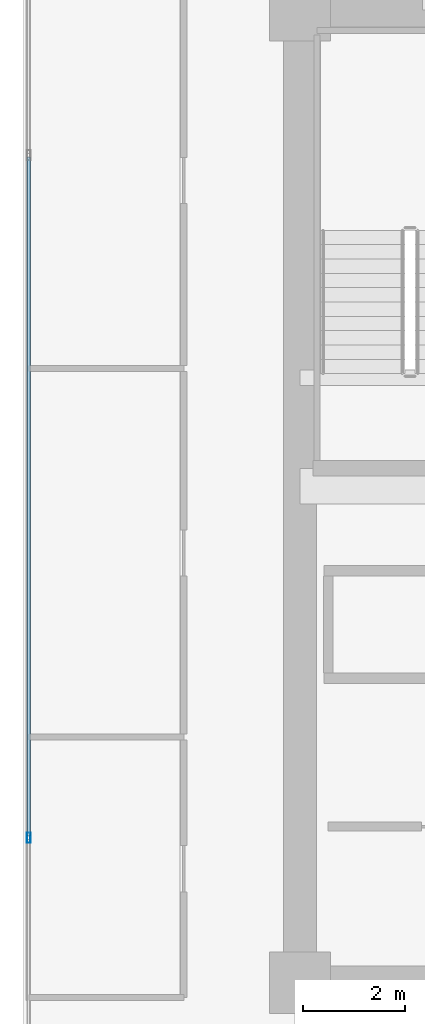
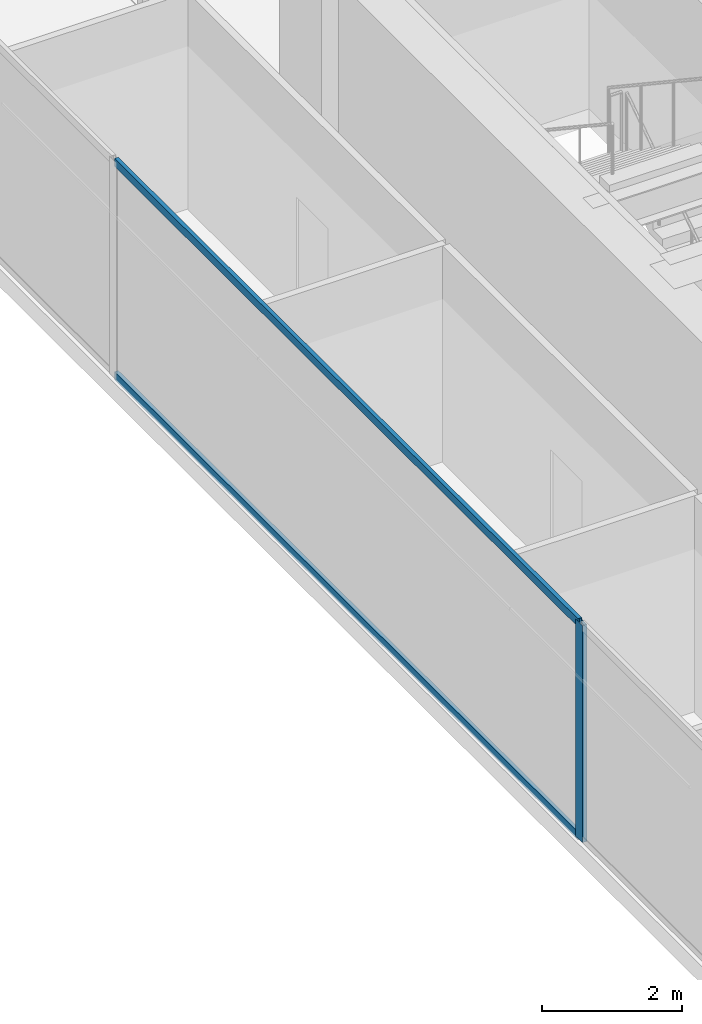
# One storey, part 6 of 33: 3 members, 1 element without a shape of its own.
"""IFC4 building model written with IfcOpenShell, lengths in metres."""

from ifc_helpers import new_model, si_unit, direction, frame, origin, origin_2d, place, context, subcontext, project, spatial, hollow_rectangle, extrude, source, transform, mapped, material, layer, layer_set, material_profile, profile_set, type_object, type_shapes, element, aggregate, save


model = new_model("IFC4")

# Units and contexts
model_context = context("Model", 3, precision=1e-05, world=origin(), true_north=direction((0.0, 1.0)))
body_context = subcontext(model_context, "Body", "Model", "MODEL_VIEW")
ifc_project = project(units=[si_unit("LENGTHUNIT", "METRE"), si_unit("AREAUNIT", "SQUARE_METRE"), si_unit("VOLUMEUNIT", "CUBIC_METRE"), si_unit("PLANEANGLEUNIT", "RADIAN"), si_unit("MASSUNIT", "GRAM", prefix="KILO")], contexts=[model_context])

# Site, building, storey
site_placement = place(None, origin())
site = spatial("IfcSite", under=ifc_project, at=site_placement, CompositionType="ELEMENT")
building_placement = place(site_placement, origin())
building = spatial("IfcBuilding", under=site, at=building_placement, Name="Haelvirn Gate Laboratories", CompositionType="ELEMENT")
storey_placement = place(building_placement, frame((0.0, 0.0, 137.89990234375)))
storey = spatial("IfcBuildingStorey", under=building, at=storey_placement, Name="L33", CompositionType="ELEMENT", Elevation=137.89990234375)

# Curtain wall, members
ifc_material_1 = material(Name="Anodised bronze unitised aluminium & triple low-E glass", Category="aluminium")
ifc_layer = layer(ifc_material_1, 0.179931640625, Name="CW-SYS-3")
ifc_layer_set = layer_set([ifc_layer], Name="Anodised bronze unitised aluminium & triple low-E glass")
curtain_wall_type = type_object("IfcCurtainWallType", Name="CW-SYS-3", PredefinedType="NOTDEFINED", material=ifc_layer_set)
curtain_wall_placement = place(storey_placement, origin())
curtain_wall = element("IfcCurtainWall", 1, at=curtain_wall_placement, inside=storey, type_object=curtain_wall_type, Name="L33 Unitised Curtain Wall CW-L33-P0-E17", PredefinedType="NOTDEFINED")
ifc_material_2 = material(Name="Extruded aluminium 6063-T6 (anodised bronze)", Category="aluminium")
ifc_material_profile_1 = material_profile(ifc_material_2, hollow_rectangle(XDim=0.06494140625, YDim=0.139892578125, WallThickness=0.00390625, at=origin_2d()), Name="CWT-140x65x4")
ifc_profile_set_1 = profile_set([ifc_material_profile_1], Name="Extruded aluminium 6063-T6 (anodised bronze)")
member_type_1 = type_object("IfcMemberType", Name="CWT-T140", PredefinedType="USERDEFINED", material=ifc_profile_set_1)
shared_shape_1 = source(origin(), body_context, "Body", "SweptSolid", [
    extrude(hollow_rectangle(XDim=0.06494140625, YDim=0.139892578125, WallThickness=0.00390625, at=origin_2d()), origin(), (0.0, 0.0, 1.0), 13.25830078125),
])
type_shapes(member_type_1, [shared_shape_1])
member_1_placement = place(storey_placement, frame((2.10009765625, 30.92919921875, 0.03271484375), z_axis=(0.0, -1.0, 0.0), x_axis=(1.0, 0.0, 0.0)))
member_1 = element("IfcMember", 2, at=member_1_placement, type_object=member_type_1, Name="CW3 transom 2.1", ObjectType="TRANSOM", PredefinedType="USERDEFINED", context=body_context, shape_type="MappedRepresentation", body=[
    mapped(shared_shape_1, transform((0.0, 0.0, 0.0), scale=1.0)),
])
member_2_placement = place(storey_placement, frame((2.10009765625, 30.92919921875, 3.757568359375), z_axis=(0.0, -1.0, 0.0), x_axis=(1.0, 0.0, 0.0)))
member_2 = element("IfcMember", 3, at=member_2_placement, type_object=member_type_1, Name="CW3 transom 2.2", ObjectType="TRANSOM", PredefinedType="USERDEFINED", context=body_context, shape_type="MappedRepresentation", body=[
    mapped(shared_shape_1, transform((0.0, 0.0, 0.0), scale=1.0)),
])
ifc_material_profile_2 = material_profile(ifc_material_2, hollow_rectangle(XDim=0.074951171875, YDim=0.199951171875, WallThickness=0.0048828125, at=origin_2d()), Name="CWM-200x75x5")
ifc_profile_set_2 = profile_set([ifc_material_profile_2], Name="Extruded aluminium 6063-T6 (anodised bronze)")
member_type_2 = type_object("IfcMemberType", Name="CWM-T200", PredefinedType="MULLION", material=ifc_profile_set_2)
shared_shape_2 = source(origin(), body_context, "Body", "SweptSolid", [
    extrude(hollow_rectangle(XDim=0.074951171875, YDim=0.199951171875, WallThickness=0.0048828125, at=origin_2d()), origin(), (0.0, 0.0, 1.0), 3.7900390625),
])
type_shapes(member_type_2, [shared_shape_2])
member_3_placement = place(storey_placement, frame((2.10009765625, 17.63330078125, 0.0), z_axis=(0.0, 0.0, 1.0), x_axis=(1.0, 0.0, 0.0)))
member_3 = element("IfcMember", 4, at=member_3_placement, type_object=member_type_2, Name="CW3 mullion 3", PredefinedType="MULLION", context=body_context, shape_type="MappedRepresentation", body=[
    mapped(shared_shape_2, transform((0.0, 0.0, 0.0), scale=1.0)),
])
aggregate(curtain_wall, [member_3, member_1, member_2])

save(model, "model.ifc")
